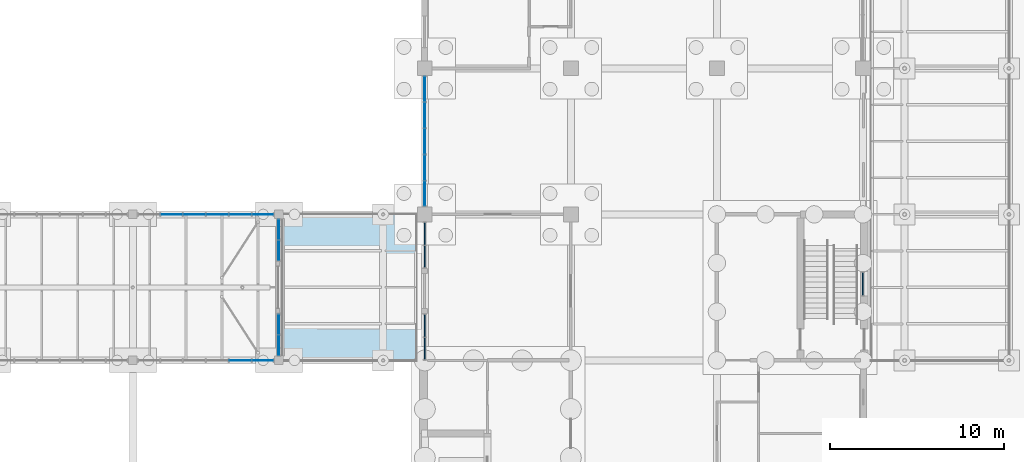
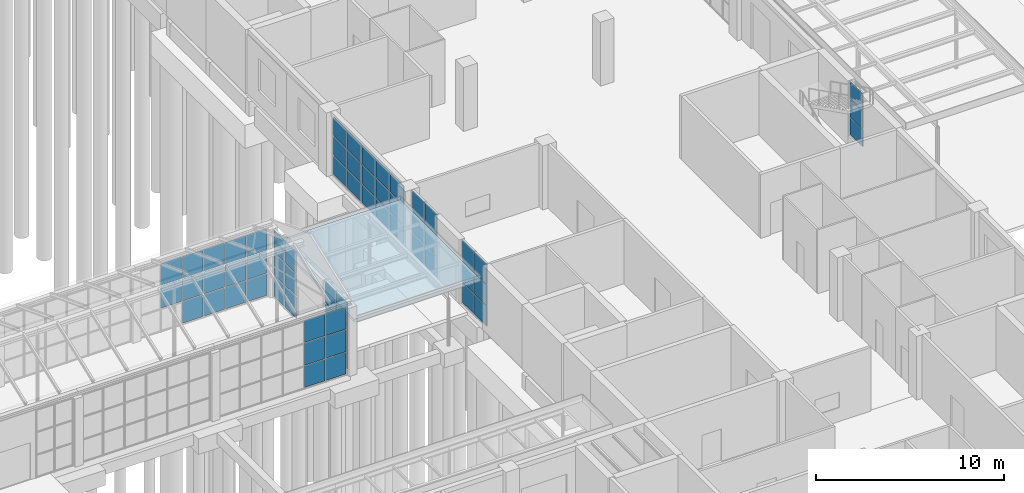
# One storey, part 90 of 138: 62 plates, 1 slab, 8 elements without a shape of their own.
"""IFC4 building model written with IfcOpenShell, lengths in metres."""

from ifc_helpers import new_model, si_unit, direction, frame, origin, origin_2d, place, context, subcontext, project, spatial, polyline, rectangle, outline, extrude, material, layer, layer_set, type_object, element, aggregate, save


model = new_model("IFC4")

# Units and contexts
model_context = context("Model", 3, precision=1e-05, world=origin(), true_north=direction((0.0, 1.0)))
body_context = subcontext(model_context, "Body", "Model", "MODEL_VIEW")
ifc_project = project(units=[si_unit("LENGTHUNIT", "METRE"), si_unit("AREAUNIT", "SQUARE_METRE"), si_unit("VOLUMEUNIT", "CUBIC_METRE"), si_unit("PLANEANGLEUNIT", "RADIAN"), si_unit("MASSUNIT", "GRAM", prefix="KILO")], contexts=[model_context])

# Site, building, storey
site_placement = place(None, origin())
site = spatial("IfcSite", under=ifc_project, at=site_placement, CompositionType="ELEMENT")
building_placement = place(site_placement, origin())
building = spatial("IfcBuilding", under=site, at=building_placement, Name="Yavir Park General Hospital", CompositionType="ELEMENT")
storey_placement = place(building_placement, origin())
storey = spatial("IfcBuildingStorey", under=building, at=storey_placement, Name="L00", CompositionType="ELEMENT", Elevation=0.0)

# Curtain wall, plates
ifc_material_1 = material(Name="Aluminium curtain wall frame with insulated glazing", Category="aluminium")
curtain_wall_type_1 = type_object("IfcCurtainWallType", Name="Emergency walk-in glazing, 4140 high, 1400 module", PredefinedType="NOTDEFINED", material=ifc_material_1)
curtain_wall_1_placement = place(storey_placement, origin())
curtain_wall_1 = element("IfcCurtainWall", 1, at=curtain_wall_1_placement, inside=storey, type_object=curtain_wall_type_1, Name="CW5 L00-069", PredefinedType="NOTDEFINED")
ifc_material_2 = material(Name="Impact-resistant glazed unit 60 mm")
ifc_layer_1 = layer(ifc_material_2, 0.06005859375)
ifc_layer_set_1 = layer_set([ifc_layer_1], Name="Impact-resistant glazed unit 60 mm")
plate_type_1 = type_object("IfcPlateType", Name="Emergency walk-in glazing, 4140 high panel 60", PredefinedType="CURTAIN_PANEL", material=ifc_layer_set_1)
plate_1_placement = place(storey_placement, frame((142.800048828125, 51.0869140625, 0.06005859375), z_axis=(0.0, 0.0, 1.0), x_axis=(0.0, 1.0, 0.0)))
plate_1 = element("IfcPlate", 2, at=plate_1_placement, type_object=plate_type_1, Name="CW5 panel 1.1", PredefinedType="CURTAIN_PANEL", context=body_context, shape_type="SweptSolid", body=[
    extrude(rectangle(XDim=1.253662109375, YDim=0.06005859375, at=origin_2d()), origin(), (0.0, 0.0, 1.0), 1.2900390625),
])
plate_2_placement = place(storey_placement, frame((142.800048828125, 51.0869140625, 1.41015625), z_axis=(0.0, 0.0, 1.0), x_axis=(0.0, 1.0, 0.0)))
plate_2 = element("IfcPlate", 3, at=plate_2_placement, type_object=plate_type_1, Name="CW5 panel 1.2", PredefinedType="CURTAIN_PANEL", context=body_context, shape_type="SweptSolid", body=[
    extrude(rectangle(XDim=1.253662109375, YDim=0.06005859375, at=origin_2d()), origin(), (0.0, 0.0, 1.0), 1.320068359375),
])
plate_3_placement = place(storey_placement, frame((142.800048828125, 51.0869140625, 2.7900390625), z_axis=(0.0, 0.0, 1.0), x_axis=(0.0, 1.0, 0.0)))
plate_3 = element("IfcPlate", 4, at=plate_3_placement, type_object=plate_type_1, Name="CW5 panel 1.3", PredefinedType="CURTAIN_PANEL", context=body_context, shape_type="SweptSolid", body=[
    extrude(rectangle(XDim=1.253662109375, YDim=0.06005859375, at=origin_2d()), origin(), (0.0, 0.0, 1.0), 1.2900390625),
])
plate_4_placement = place(storey_placement, frame((142.800048828125, 52.400634765625, 0.06005859375), z_axis=(0.0, 0.0, 1.0), x_axis=(0.0, 1.0, 0.0)))
plate_4 = element("IfcPlate", 5, at=plate_4_placement, type_object=plate_type_1, Name="CW5 panel 2.1", PredefinedType="CURTAIN_PANEL", context=body_context, shape_type="SweptSolid", body=[
    extrude(rectangle(XDim=1.253662109375, YDim=0.06005859375, at=origin_2d()), origin(), (0.0, 0.0, 1.0), 1.2900390625),
])
plate_5_placement = place(storey_placement, frame((142.800048828125, 52.400634765625, 1.41015625), z_axis=(0.0, 0.0, 1.0), x_axis=(0.0, 1.0, 0.0)))
plate_5 = element("IfcPlate", 6, at=plate_5_placement, type_object=plate_type_1, Name="CW5 panel 2.2", PredefinedType="CURTAIN_PANEL", context=body_context, shape_type="SweptSolid", body=[
    extrude(rectangle(XDim=1.253662109375, YDim=0.06005859375, at=origin_2d()), origin(), (0.0, 0.0, 1.0), 1.320068359375),
])
plate_6_placement = place(storey_placement, frame((142.800048828125, 52.400634765625, 2.7900390625), z_axis=(0.0, 0.0, 1.0), x_axis=(0.0, 1.0, 0.0)))
plate_6 = element("IfcPlate", 7, at=plate_6_placement, type_object=plate_type_1, Name="CW5 panel 2.3", PredefinedType="CURTAIN_PANEL", context=body_context, shape_type="SweptSolid", body=[
    extrude(rectangle(XDim=1.253662109375, YDim=0.06005859375, at=origin_2d()), origin(), (0.0, 0.0, 1.0), 1.2900390625),
])
aggregate(curtain_wall_1, [plate_1, plate_2, plate_3, plate_4, plate_5, plate_6])

curtain_wall_2_placement = place(storey_placement, origin())
curtain_wall_2 = element("IfcCurtainWall", 8, at=curtain_wall_2_placement, inside=storey, type_object=curtain_wall_type_1, Name="CW5 L00-070", PredefinedType="NOTDEFINED")
plate_7_placement = place(storey_placement, frame((142.800048828125, 56.374267578125, 0.06005859375), z_axis=(0.0, 0.0, 1.0), x_axis=(0.0, 1.0, 0.0)))
plate_7 = element("IfcPlate", 9, at=plate_7_placement, type_object=plate_type_1, Name="CW5 panel 1.1", PredefinedType="CURTAIN_PANEL", context=body_context, shape_type="SweptSolid", body=[
    extrude(rectangle(XDim=1.253662109375, YDim=0.06005859375, at=origin_2d()), origin(), (0.0, 0.0, 1.0), 1.2900390625),
])
plate_8_placement = place(storey_placement, frame((142.800048828125, 56.374267578125, 1.41015625), z_axis=(0.0, 0.0, 1.0), x_axis=(0.0, 1.0, 0.0)))
plate_8 = element("IfcPlate", 10, at=plate_8_placement, type_object=plate_type_1, Name="CW5 panel 1.2", PredefinedType="CURTAIN_PANEL", context=body_context, shape_type="SweptSolid", body=[
    extrude(rectangle(XDim=1.253662109375, YDim=0.06005859375, at=origin_2d()), origin(), (0.0, 0.0, 1.0), 1.320068359375),
])
plate_9_placement = place(storey_placement, frame((142.800048828125, 56.374267578125, 2.7900390625), z_axis=(0.0, 0.0, 1.0), x_axis=(0.0, 1.0, 0.0)))
plate_9 = element("IfcPlate", 11, at=plate_9_placement, type_object=plate_type_1, Name="CW5 panel 1.3", PredefinedType="CURTAIN_PANEL", context=body_context, shape_type="SweptSolid", body=[
    extrude(rectangle(XDim=1.253662109375, YDim=0.06005859375, at=origin_2d()), origin(), (0.0, 0.0, 1.0), 1.2900390625),
])
plate_10_placement = place(storey_placement, frame((142.800048828125, 57.688232421875, 0.06005859375), z_axis=(0.0, 0.0, 1.0), x_axis=(0.0, 1.0, 0.0)))
plate_10 = element("IfcPlate", 12, at=plate_10_placement, type_object=plate_type_1, Name="CW5 panel 2.1", PredefinedType="CURTAIN_PANEL", context=body_context, shape_type="SweptSolid", body=[
    extrude(rectangle(XDim=1.253662109375, YDim=0.06005859375, at=origin_2d()), origin(), (0.0, 0.0, 1.0), 1.2900390625),
])
plate_11_placement = place(storey_placement, frame((142.800048828125, 57.688232421875, 1.41015625), z_axis=(0.0, 0.0, 1.0), x_axis=(0.0, 1.0, 0.0)))
plate_11 = element("IfcPlate", 13, at=plate_11_placement, type_object=plate_type_1, Name="CW5 panel 2.2", PredefinedType="CURTAIN_PANEL", context=body_context, shape_type="SweptSolid", body=[
    extrude(rectangle(XDim=1.253662109375, YDim=0.06005859375, at=origin_2d()), origin(), (0.0, 0.0, 1.0), 1.320068359375),
])
plate_12_placement = place(storey_placement, frame((142.800048828125, 57.688232421875, 2.7900390625), z_axis=(0.0, 0.0, 1.0), x_axis=(0.0, 1.0, 0.0)))
plate_12 = element("IfcPlate", 14, at=plate_12_placement, type_object=plate_type_1, Name="CW5 panel 2.3", PredefinedType="CURTAIN_PANEL", context=body_context, shape_type="SweptSolid", body=[
    extrude(rectangle(XDim=1.253662109375, YDim=0.06005859375, at=origin_2d()), origin(), (0.0, 0.0, 1.0), 1.2900390625),
])
aggregate(curtain_wall_2, [plate_7, plate_8, plate_9, plate_10, plate_11, plate_12])

# Slab
ifc_material_3 = material(Name="Concrete C35/45", Category="concrete")
ifc_layer_2 = layer(ifc_material_3, 0.199951171875)
ifc_layer_set_2 = layer_set([ifc_layer_2], Name="Concrete C35/45")
slab_type = type_object("IfcSlabType", Name="RC SLAB ROOF 200", PredefinedType="ROOF", material=ifc_layer_set_2)
slab_placement = place(storey_placement, frame((0.0, 0.0, 3.199951171875)))
element("IfcSlab", 15, at=slab_placement, inside=storey, type_object=slab_type, Name="RF:EDW:slab", PredefinedType="ROOF", context=body_context, shape_type="SweptSolid", body=[
    extrude(outline(polyline([(142.300048828125, 50.39990234375), (142.300048828125, 58.800048828125), (134.6201171875, 58.800048828125), (134.6201171875, 50.39990234375), (142.300048828125, 50.39990234375)])), origin(), (0.0, 0.0, 1.0), 0.199951171875),
])

# Curtain wall, plates
ifc_material_4 = material(Name="Aluminium curtain wall frame with insulated glazing", Category="aluminium")
curtain_wall_type_2 = type_object("IfcCurtainWallType", Name="Reception glazing, 3840 high, 1400 module", PredefinedType="NOTDEFINED", material=ifc_material_4)
curtain_wall_3_placement = place(storey_placement, origin())
curtain_wall_3 = element("IfcCurtainWall", 16, at=curtain_wall_3_placement, inside=storey, type_object=curtain_wall_type_2, Name="CW8 L00-071", PredefinedType="NOTDEFINED")
ifc_material_5 = material(Name="Security glazed unit 50 mm")
ifc_layer_3 = layer(ifc_material_5, 0.050048828125)
ifc_layer_set_3 = layer_set([ifc_layer_3], Name="Security glazed unit 50 mm")
plate_type_2 = type_object("IfcPlateType", Name="Reception glazing, 3840 high panel 50", PredefinedType="CURTAIN_PANEL", material=ifc_layer_set_3)
plate_13_placement = place(storey_placement, frame((142.800048828125, 59.9951171875, 0.06005859375), z_axis=(0.0, 0.0, 1.0), x_axis=(0.0, 1.0, 0.0)))
plate_13 = element("IfcPlate", 17, at=plate_13_placement, type_object=plate_type_2, Name="CW8 panel 1.1", PredefinedType="CURTAIN_PANEL", context=body_context, shape_type="SweptSolid", body=[
    extrude(rectangle(XDim=1.419921875, YDim=0.050048828125, at=origin_2d()), origin(), (0.0, 0.0, 1.0), 1.18994140625),
])
plate_14_placement = place(storey_placement, frame((142.800048828125, 59.9951171875, 1.31005859375), z_axis=(0.0, 0.0, 1.0), x_axis=(0.0, 1.0, 0.0)))
plate_14 = element("IfcPlate", 18, at=plate_14_placement, type_object=plate_type_2, Name="CW8 panel 1.2", PredefinedType="CURTAIN_PANEL", context=body_context, shape_type="SweptSolid", body=[
    extrude(rectangle(XDim=1.419921875, YDim=0.050048828125, at=origin_2d()), origin(), (0.0, 0.0, 1.0), 1.219970703125),
])
plate_15_placement = place(storey_placement, frame((142.800048828125, 59.9951171875, 2.590087890625), z_axis=(0.0, 0.0, 1.0), x_axis=(0.0, 1.0, 0.0)))
plate_15 = element("IfcPlate", 19, at=plate_15_placement, type_object=plate_type_2, Name="CW8 panel 1.3", PredefinedType="CURTAIN_PANEL", context=body_context, shape_type="SweptSolid", body=[
    extrude(rectangle(XDim=1.419921875, YDim=0.050048828125, at=origin_2d()), origin(), (0.0, 0.0, 1.0), 1.18994140625),
])
plate_16_placement = place(storey_placement, frame((142.800048828125, 61.489990234375, 0.06005859375), z_axis=(0.0, 0.0, 1.0), x_axis=(0.0, 1.0, 0.0)))
plate_16 = element("IfcPlate", 20, at=plate_16_placement, type_object=plate_type_2, Name="CW8 panel 2.1", PredefinedType="CURTAIN_PANEL", context=body_context, shape_type="SweptSolid", body=[
    extrude(rectangle(XDim=1.449951171875, YDim=0.050048828125, at=origin_2d()), origin(), (0.0, 0.0, 1.0), 1.18994140625),
])
plate_17_placement = place(storey_placement, frame((142.800048828125, 61.489990234375, 1.31005859375), z_axis=(0.0, 0.0, 1.0), x_axis=(0.0, 1.0, 0.0)))
plate_17 = element("IfcPlate", 21, at=plate_17_placement, type_object=plate_type_2, Name="CW8 panel 2.2", PredefinedType="CURTAIN_PANEL", context=body_context, shape_type="SweptSolid", body=[
    extrude(rectangle(XDim=1.449951171875, YDim=0.050048828125, at=origin_2d()), origin(), (0.0, 0.0, 1.0), 1.219970703125),
])
plate_18_placement = place(storey_placement, frame((142.800048828125, 61.489990234375, 2.590087890625), z_axis=(0.0, 0.0, 1.0), x_axis=(0.0, 1.0, 0.0)))
plate_18 = element("IfcPlate", 22, at=plate_18_placement, type_object=plate_type_2, Name="CW8 panel 2.3", PredefinedType="CURTAIN_PANEL", context=body_context, shape_type="SweptSolid", body=[
    extrude(rectangle(XDim=1.449951171875, YDim=0.050048828125, at=origin_2d()), origin(), (0.0, 0.0, 1.0), 1.18994140625),
])
plate_19_placement = place(storey_placement, frame((142.800048828125, 63.0, 0.06005859375), z_axis=(0.0, 0.0, 1.0), x_axis=(0.0, 1.0, 0.0)))
plate_19 = element("IfcPlate", 23, at=plate_19_placement, type_object=plate_type_2, Name="CW8 panel 3.1", PredefinedType="CURTAIN_PANEL", context=body_context, shape_type="SweptSolid", body=[
    extrude(rectangle(XDim=1.449951171875, YDim=0.050048828125, at=origin_2d()), origin(), (0.0, 0.0, 1.0), 1.18994140625),
])
plate_20_placement = place(storey_placement, frame((142.800048828125, 63.0, 1.31005859375), z_axis=(0.0, 0.0, 1.0), x_axis=(0.0, 1.0, 0.0)))
plate_20 = element("IfcPlate", 24, at=plate_20_placement, type_object=plate_type_2, Name="CW8 panel 3.2", PredefinedType="CURTAIN_PANEL", context=body_context, shape_type="SweptSolid", body=[
    extrude(rectangle(XDim=1.449951171875, YDim=0.050048828125, at=origin_2d()), origin(), (0.0, 0.0, 1.0), 1.219970703125),
])
plate_21_placement = place(storey_placement, frame((142.800048828125, 63.0, 2.590087890625), z_axis=(0.0, 0.0, 1.0), x_axis=(0.0, 1.0, 0.0)))
plate_21 = element("IfcPlate", 25, at=plate_21_placement, type_object=plate_type_2, Name="CW8 panel 3.3", PredefinedType="CURTAIN_PANEL", context=body_context, shape_type="SweptSolid", body=[
    extrude(rectangle(XDim=1.449951171875, YDim=0.050048828125, at=origin_2d()), origin(), (0.0, 0.0, 1.0), 1.18994140625),
])
plate_22_placement = place(storey_placement, frame((142.800048828125, 64.510009765625, 0.06005859375), z_axis=(0.0, 0.0, 1.0), x_axis=(0.0, 1.0, 0.0)))
plate_22 = element("IfcPlate", 26, at=plate_22_placement, type_object=plate_type_2, Name="CW8 panel 4.1", PredefinedType="CURTAIN_PANEL", context=body_context, shape_type="SweptSolid", body=[
    extrude(rectangle(XDim=1.449951171875, YDim=0.050048828125, at=origin_2d()), origin(), (0.0, 0.0, 1.0), 1.18994140625),
])
plate_23_placement = place(storey_placement, frame((142.800048828125, 64.510009765625, 1.31005859375), z_axis=(0.0, 0.0, 1.0), x_axis=(0.0, 1.0, 0.0)))
plate_23 = element("IfcPlate", 27, at=plate_23_placement, type_object=plate_type_2, Name="CW8 panel 4.2", PredefinedType="CURTAIN_PANEL", context=body_context, shape_type="SweptSolid", body=[
    extrude(rectangle(XDim=1.449951171875, YDim=0.050048828125, at=origin_2d()), origin(), (0.0, 0.0, 1.0), 1.219970703125),
])
plate_24_placement = place(storey_placement, frame((142.800048828125, 64.510009765625, 2.590087890625), z_axis=(0.0, 0.0, 1.0), x_axis=(0.0, 1.0, 0.0)))
plate_24 = element("IfcPlate", 28, at=plate_24_placement, type_object=plate_type_2, Name="CW8 panel 4.3", PredefinedType="CURTAIN_PANEL", context=body_context, shape_type="SweptSolid", body=[
    extrude(rectangle(XDim=1.449951171875, YDim=0.050048828125, at=origin_2d()), origin(), (0.0, 0.0, 1.0), 1.18994140625),
])
plate_25_placement = place(storey_placement, frame((142.800048828125, 66.0048828125, 0.06005859375), z_axis=(0.0, 0.0, 1.0), x_axis=(0.0, 1.0, 0.0)))
plate_25 = element("IfcPlate", 29, at=plate_25_placement, type_object=plate_type_2, Name="CW8 panel 5.1", PredefinedType="CURTAIN_PANEL", context=body_context, shape_type="SweptSolid", body=[
    extrude(rectangle(XDim=1.419921875, YDim=0.050048828125, at=origin_2d()), origin(), (0.0, 0.0, 1.0), 1.18994140625),
])
plate_26_placement = place(storey_placement, frame((142.800048828125, 66.0048828125, 1.31005859375), z_axis=(0.0, 0.0, 1.0), x_axis=(0.0, 1.0, 0.0)))
plate_26 = element("IfcPlate", 30, at=plate_26_placement, type_object=plate_type_2, Name="CW8 panel 5.2", PredefinedType="CURTAIN_PANEL", context=body_context, shape_type="SweptSolid", body=[
    extrude(rectangle(XDim=1.419921875, YDim=0.050048828125, at=origin_2d()), origin(), (0.0, 0.0, 1.0), 1.219970703125),
])
plate_27_placement = place(storey_placement, frame((142.800048828125, 66.0048828125, 2.590087890625), z_axis=(0.0, 0.0, 1.0), x_axis=(0.0, 1.0, 0.0)))
plate_27 = element("IfcPlate", 31, at=plate_27_placement, type_object=plate_type_2, Name="CW8 panel 5.3", PredefinedType="CURTAIN_PANEL", context=body_context, shape_type="SweptSolid", body=[
    extrude(rectangle(XDim=1.419921875, YDim=0.050048828125, at=origin_2d()), origin(), (0.0, 0.0, 1.0), 1.18994140625),
])
aggregate(curtain_wall_3, [plate_13, plate_14, plate_15, plate_16, plate_17, plate_18, plate_19, plate_20, plate_21, plate_22, plate_23, plate_24, plate_25, plate_26, plate_27])

ifc_material_6 = material(Name="Aluminium curtain wall frame with insulated glazing", Category="aluminium")
curtain_wall_type_3 = type_object("IfcCurtainWallType", Name="Stair light slot, ground floor, 3540 high, 1400 module", PredefinedType="NOTDEFINED", material=ifc_material_6)
curtain_wall_4_placement = place(storey_placement, origin())
curtain_wall_4 = element("IfcCurtainWall", 32, at=curtain_wall_4_placement, inside=storey, type_object=curtain_wall_type_3, Name="CW19 L00-074", PredefinedType="NOTDEFINED")
ifc_material_7 = material(Name="Impact-resistant glazed unit 60 mm")
ifc_layer_4 = layer(ifc_material_7, 0.06005859375)
ifc_layer_set_4 = layer_set([ifc_layer_4], Name="Impact-resistant glazed unit 60 mm")
plate_type_3 = type_object("IfcPlateType", Name="Stair light slot, ground floor, 3540 high panel 60", PredefinedType="CURTAIN_PANEL", material=ifc_layer_set_4)
plate_28_placement = place(storey_placement, frame((168.0, 54.800048828125, 0.64990234375), z_axis=(0.0, 0.0, 1.0), x_axis=(0.0, 1.0, 0.0)))
plate_28 = element("IfcPlate", 33, at=plate_28_placement, type_object=plate_type_3, Name="CW19 panel 1.1", PredefinedType="CURTAIN_PANEL", context=body_context, shape_type="SweptSolid", body=[
    extrude(rectangle(XDim=1.300048828125, YDim=0.06005859375, at=origin_2d()), origin(), (0.0, 0.0, 1.0), 1.10498046875),
])
plate_29_placement = place(storey_placement, frame((168.0, 54.800048828125, 1.80517578125), z_axis=(0.0, 0.0, 1.0), x_axis=(0.0, 1.0, 0.0)))
plate_29 = element("IfcPlate", 34, at=plate_29_placement, type_object=plate_type_3, Name="CW19 panel 1.2", PredefinedType="CURTAIN_PANEL", context=body_context, shape_type="SweptSolid", body=[
    extrude(rectangle(XDim=1.300048828125, YDim=0.06005859375, at=origin_2d()), origin(), (0.0, 0.0, 1.0), 1.1298828125),
])
plate_30_placement = place(storey_placement, frame((168.0, 54.800048828125, 2.985107421875), z_axis=(0.0, 0.0, 1.0), x_axis=(0.0, 1.0, 0.0)))
plate_30 = element("IfcPlate", 35, at=plate_30_placement, type_object=plate_type_3, Name="CW19 panel 1.3", PredefinedType="CURTAIN_PANEL", context=body_context, shape_type="SweptSolid", body=[
    extrude(rectangle(XDim=1.300048828125, YDim=0.06005859375, at=origin_2d()), origin(), (0.0, 0.0, 1.0), 1.10498046875),
])
aggregate(curtain_wall_4, [plate_28, plate_29, plate_30])

ifc_material_8 = material(Name="Aluminium curtain wall frame with insulated glazing", Category="aluminium")
curtain_wall_type_4 = type_object("IfcCurtainWallType", Name="Winter-garden concourse glazing, 4425 high, 1400 module", PredefinedType="NOTDEFINED", material=ifc_material_8)
curtain_wall_5_placement = place(storey_placement, origin())
curtain_wall_5 = element("IfcCurtainWall", 36, at=curtain_wall_5_placement, inside=storey, type_object=curtain_wall_type_4, Name="CW37 L00-016", PredefinedType="NOTDEFINED")
ifc_material_9 = material(Name="Solar-control insulated glazed unit 40 mm")
ifc_layer_5 = layer(ifc_material_9, 0.0400390625)
ifc_layer_set_5 = layer_set([ifc_layer_5], Name="Solar-control insulated glazed unit 40 mm")
plate_type_4 = type_object("IfcPlateType", Name="Winter-garden concourse glazing, 4425 high panel 40", PredefinedType="CURTAIN_PANEL", material=ifc_layer_set_5)
plate_31_placement = place(storey_placement, frame((132.175048828125, 50.39990234375, 0.06005859375), z_axis=(0.0, 0.0, 1.0), x_axis=(1.0, 0.0, 0.0)))
plate_31 = element("IfcPlate", 37, at=plate_31_placement, type_object=plate_type_4, Name="CW37 panel 5.1", PredefinedType="CURTAIN_PANEL", context=body_context, shape_type="SweptSolid", body=[
    extrude(rectangle(XDim=1.256591796875, YDim=0.0400390625, at=origin_2d()), origin(), (0.0, 0.0, 1.0), 1.385009765625),
])
plate_32_placement = place(storey_placement, frame((132.175048828125, 50.39990234375, 1.5048828125), z_axis=(0.0, 0.0, 1.0), x_axis=(1.0, 0.0, 0.0)))
plate_32 = element("IfcPlate", 38, at=plate_32_placement, type_object=plate_type_4, Name="CW37 panel 5.2", PredefinedType="CURTAIN_PANEL", context=body_context, shape_type="SweptSolid", body=[
    extrude(rectangle(XDim=1.256591796875, YDim=0.0400390625, at=origin_2d()), origin(), (0.0, 0.0, 1.0), 1.4150390625),
])
plate_33_placement = place(storey_placement, frame((132.175048828125, 50.39990234375, 2.97998046875), z_axis=(0.0, 0.0, 1.0), x_axis=(1.0, 0.0, 0.0)))
plate_33 = element("IfcPlate", 39, at=plate_33_placement, type_object=plate_type_4, Name="CW37 panel 5.3", PredefinedType="CURTAIN_PANEL", context=body_context, shape_type="SweptSolid", body=[
    extrude(rectangle(XDim=1.256591796875, YDim=0.0400390625, at=origin_2d()), origin(), (0.0, 0.0, 1.0), 1.385009765625),
])
plate_34_placement = place(storey_placement, frame((133.4765625, 50.39990234375, 0.06005859375), z_axis=(0.0, 0.0, 1.0), x_axis=(1.0, 0.0, 0.0)))
plate_34 = element("IfcPlate", 40, at=plate_34_placement, type_object=plate_type_4, Name="CW37 panel 6.1", PredefinedType="CURTAIN_PANEL", context=body_context, shape_type="SweptSolid", body=[
    extrude(rectangle(XDim=1.2265625, YDim=0.0400390625, at=origin_2d()), origin(), (0.0, 0.0, 1.0), 1.385009765625),
])
plate_35_placement = place(storey_placement, frame((133.4765625, 50.39990234375, 1.5048828125), z_axis=(0.0, 0.0, 1.0), x_axis=(1.0, 0.0, 0.0)))
plate_35 = element("IfcPlate", 41, at=plate_35_placement, type_object=plate_type_4, Name="CW37 panel 6.2", PredefinedType="CURTAIN_PANEL", context=body_context, shape_type="SweptSolid", body=[
    extrude(rectangle(XDim=1.2265625, YDim=0.0400390625, at=origin_2d()), origin(), (0.0, 0.0, 1.0), 1.4150390625),
])
plate_36_placement = place(storey_placement, frame((133.4765625, 50.39990234375, 2.97998046875), z_axis=(0.0, 0.0, 1.0), x_axis=(1.0, 0.0, 0.0)))
plate_36 = element("IfcPlate", 42, at=plate_36_placement, type_object=plate_type_4, Name="CW37 panel 6.3", PredefinedType="CURTAIN_PANEL", context=body_context, shape_type="SweptSolid", body=[
    extrude(rectangle(XDim=1.2265625, YDim=0.0400390625, at=origin_2d()), origin(), (0.0, 0.0, 1.0), 1.385009765625),
])
aggregate(curtain_wall_5, [plate_31, plate_32, plate_33, plate_34, plate_35, plate_36])

curtain_wall_6_placement = place(storey_placement, origin())
curtain_wall_6 = element("IfcCurtainWall", 43, at=curtain_wall_6_placement, inside=storey, type_object=curtain_wall_type_4, Name="CW37 L00-021", PredefinedType="NOTDEFINED")
plate_37_placement = place(storey_placement, frame((128.22509765625, 58.800048828125, 1.5048828125), z_axis=(0.0, 0.0, 1.0), x_axis=(1.0, 0.0, 0.0)))
plate_37 = element("IfcPlate", 44, at=plate_37_placement, type_object=plate_type_4, Name="CW37 panel 2.2", PredefinedType="CURTAIN_PANEL", context=body_context, shape_type="SweptSolid", body=[
    extrude(rectangle(XDim=1.256591796875, YDim=0.0400390625, at=origin_2d()), origin(), (0.0, 0.0, 1.0), 1.4150390625),
])
plate_38_placement = place(storey_placement, frame((128.22509765625, 58.800048828125, 2.97998046875), z_axis=(0.0, 0.0, 1.0), x_axis=(1.0, 0.0, 0.0)))
plate_38 = element("IfcPlate", 45, at=plate_38_placement, type_object=plate_type_4, Name="CW37 panel 2.3", PredefinedType="CURTAIN_PANEL", context=body_context, shape_type="SweptSolid", body=[
    extrude(rectangle(XDim=1.256591796875, YDim=0.0400390625, at=origin_2d()), origin(), (0.0, 0.0, 1.0), 1.385009765625),
])
plate_39_placement = place(storey_placement, frame((129.541748046875, 58.800048828125, 0.06005859375), z_axis=(0.0, 0.0, 1.0), x_axis=(1.0, 0.0, 0.0)))
plate_39 = element("IfcPlate", 46, at=plate_39_placement, type_object=plate_type_4, Name="CW37 panel 3.1", PredefinedType="CURTAIN_PANEL", context=body_context, shape_type="SweptSolid", body=[
    extrude(rectangle(XDim=1.256591796875, YDim=0.0400390625, at=origin_2d()), origin(), (0.0, 0.0, 1.0), 1.385009765625),
])
plate_40_placement = place(storey_placement, frame((129.541748046875, 58.800048828125, 1.5048828125), z_axis=(0.0, 0.0, 1.0), x_axis=(1.0, 0.0, 0.0)))
plate_40 = element("IfcPlate", 47, at=plate_40_placement, type_object=plate_type_4, Name="CW37 panel 3.2", PredefinedType="CURTAIN_PANEL", context=body_context, shape_type="SweptSolid", body=[
    extrude(rectangle(XDim=1.256591796875, YDim=0.0400390625, at=origin_2d()), origin(), (0.0, 0.0, 1.0), 1.4150390625),
])
plate_41_placement = place(storey_placement, frame((129.541748046875, 58.800048828125, 2.97998046875), z_axis=(0.0, 0.0, 1.0), x_axis=(1.0, 0.0, 0.0)))
plate_41 = element("IfcPlate", 48, at=plate_41_placement, type_object=plate_type_4, Name="CW37 panel 3.3", PredefinedType="CURTAIN_PANEL", context=body_context, shape_type="SweptSolid", body=[
    extrude(rectangle(XDim=1.256591796875, YDim=0.0400390625, at=origin_2d()), origin(), (0.0, 0.0, 1.0), 1.385009765625),
])
plate_42_placement = place(storey_placement, frame((130.8583984375, 58.800048828125, 0.06005859375), z_axis=(0.0, 0.0, 1.0), x_axis=(1.0, 0.0, 0.0)))
plate_42 = element("IfcPlate", 49, at=plate_42_placement, type_object=plate_type_4, Name="CW37 panel 4.1", PredefinedType="CURTAIN_PANEL", context=body_context, shape_type="SweptSolid", body=[
    extrude(rectangle(XDim=1.256591796875, YDim=0.0400390625, at=origin_2d()), origin(), (0.0, 0.0, 1.0), 1.385009765625),
])
plate_43_placement = place(storey_placement, frame((130.8583984375, 58.800048828125, 1.5048828125), z_axis=(0.0, 0.0, 1.0), x_axis=(1.0, 0.0, 0.0)))
plate_43 = element("IfcPlate", 50, at=plate_43_placement, type_object=plate_type_4, Name="CW37 panel 4.2", PredefinedType="CURTAIN_PANEL", context=body_context, shape_type="SweptSolid", body=[
    extrude(rectangle(XDim=1.256591796875, YDim=0.0400390625, at=origin_2d()), origin(), (0.0, 0.0, 1.0), 1.4150390625),
])
plate_44_placement = place(storey_placement, frame((130.8583984375, 58.800048828125, 2.97998046875), z_axis=(0.0, 0.0, 1.0), x_axis=(1.0, 0.0, 0.0)))
plate_44 = element("IfcPlate", 51, at=plate_44_placement, type_object=plate_type_4, Name="CW37 panel 4.3", PredefinedType="CURTAIN_PANEL", context=body_context, shape_type="SweptSolid", body=[
    extrude(rectangle(XDim=1.256591796875, YDim=0.0400390625, at=origin_2d()), origin(), (0.0, 0.0, 1.0), 1.385009765625),
])
plate_45_placement = place(storey_placement, frame((132.175048828125, 58.800048828125, 0.06005859375), z_axis=(0.0, 0.0, 1.0), x_axis=(1.0, 0.0, 0.0)))
plate_45 = element("IfcPlate", 52, at=plate_45_placement, type_object=plate_type_4, Name="CW37 panel 5.1", PredefinedType="CURTAIN_PANEL", context=body_context, shape_type="SweptSolid", body=[
    extrude(rectangle(XDim=1.256591796875, YDim=0.0400390625, at=origin_2d()), origin(), (0.0, 0.0, 1.0), 1.385009765625),
])
plate_46_placement = place(storey_placement, frame((132.175048828125, 58.800048828125, 1.5048828125), z_axis=(0.0, 0.0, 1.0), x_axis=(1.0, 0.0, 0.0)))
plate_46 = element("IfcPlate", 53, at=plate_46_placement, type_object=plate_type_4, Name="CW37 panel 5.2", PredefinedType="CURTAIN_PANEL", context=body_context, shape_type="SweptSolid", body=[
    extrude(rectangle(XDim=1.256591796875, YDim=0.0400390625, at=origin_2d()), origin(), (0.0, 0.0, 1.0), 1.4150390625),
])
plate_47_placement = place(storey_placement, frame((132.175048828125, 58.800048828125, 2.97998046875), z_axis=(0.0, 0.0, 1.0), x_axis=(1.0, 0.0, 0.0)))
plate_47 = element("IfcPlate", 54, at=plate_47_placement, type_object=plate_type_4, Name="CW37 panel 5.3", PredefinedType="CURTAIN_PANEL", context=body_context, shape_type="SweptSolid", body=[
    extrude(rectangle(XDim=1.256591796875, YDim=0.0400390625, at=origin_2d()), origin(), (0.0, 0.0, 1.0), 1.385009765625),
])
plate_48_placement = place(storey_placement, frame((133.4765625, 58.800048828125, 0.06005859375), z_axis=(0.0, 0.0, 1.0), x_axis=(1.0, 0.0, 0.0)))
plate_48 = element("IfcPlate", 55, at=plate_48_placement, type_object=plate_type_4, Name="CW37 panel 6.1", PredefinedType="CURTAIN_PANEL", context=body_context, shape_type="SweptSolid", body=[
    extrude(rectangle(XDim=1.2265625, YDim=0.0400390625, at=origin_2d()), origin(), (0.0, 0.0, 1.0), 1.385009765625),
])
plate_49_placement = place(storey_placement, frame((133.4765625, 58.800048828125, 1.5048828125), z_axis=(0.0, 0.0, 1.0), x_axis=(1.0, 0.0, 0.0)))
plate_49 = element("IfcPlate", 56, at=plate_49_placement, type_object=plate_type_4, Name="CW37 panel 6.2", PredefinedType="CURTAIN_PANEL", context=body_context, shape_type="SweptSolid", body=[
    extrude(rectangle(XDim=1.2265625, YDim=0.0400390625, at=origin_2d()), origin(), (0.0, 0.0, 1.0), 1.4150390625),
])
plate_50_placement = place(storey_placement, frame((133.4765625, 58.800048828125, 2.97998046875), z_axis=(0.0, 0.0, 1.0), x_axis=(1.0, 0.0, 0.0)))
plate_50 = element("IfcPlate", 57, at=plate_50_placement, type_object=plate_type_4, Name="CW37 panel 6.3", PredefinedType="CURTAIN_PANEL", context=body_context, shape_type="SweptSolid", body=[
    extrude(rectangle(XDim=1.2265625, YDim=0.0400390625, at=origin_2d()), origin(), (0.0, 0.0, 1.0), 1.385009765625),
])
aggregate(curtain_wall_6, [plate_37, plate_38, plate_39, plate_40, plate_41, plate_42, plate_43, plate_44, plate_45, plate_46, plate_47, plate_48, plate_49, plate_50])

curtain_wall_7_placement = place(storey_placement, origin())
curtain_wall_7 = element("IfcCurtainWall", 58, at=curtain_wall_7_placement, inside=storey, type_object=curtain_wall_type_4, Name="CW37 L00-067", PredefinedType="NOTDEFINED")
plate_51_placement = place(storey_placement, frame((134.39990234375, 51.277587890625, 0.06005859375), z_axis=(0.0, 0.0, 1.0), x_axis=(0.0, 1.0, 0.0)))
plate_51 = element("IfcPlate", 59, at=plate_51_placement, type_object=plate_type_4, Name="CW37 panel 1.1", PredefinedType="CURTAIN_PANEL", context=body_context, shape_type="SweptSolid", body=[
    extrude(rectangle(XDim=1.135009765625, YDim=0.0400390625, at=origin_2d()), origin(), (0.0, 0.0, 1.0), 1.385009765625),
])
plate_52_placement = place(storey_placement, frame((134.39990234375, 51.277587890625, 1.5048828125), z_axis=(0.0, 0.0, 1.0), x_axis=(0.0, 1.0, 0.0)))
plate_52 = element("IfcPlate", 60, at=plate_52_placement, type_object=plate_type_4, Name="CW37 panel 1.2", PredefinedType="CURTAIN_PANEL", context=body_context, shape_type="SweptSolid", body=[
    extrude(rectangle(XDim=1.135009765625, YDim=0.0400390625, at=origin_2d()), origin(), (0.0, 0.0, 1.0), 1.4150390625),
])
plate_53_placement = place(storey_placement, frame((134.39990234375, 51.277587890625, 2.97998046875), z_axis=(0.0, 0.0, 1.0), x_axis=(0.0, 1.0, 0.0)))
plate_53 = element("IfcPlate", 61, at=plate_53_placement, type_object=plate_type_4, Name="CW37 panel 1.3", PredefinedType="CURTAIN_PANEL", context=body_context, shape_type="SweptSolid", body=[
    extrude(rectangle(XDim=1.135009765625, YDim=0.0400390625, at=origin_2d()), origin(), (0.0, 0.0, 1.0), 1.385009765625),
])
plate_54_placement = place(storey_placement, frame((134.39990234375, 52.472412109375, 0.06005859375), z_axis=(0.0, 0.0, 1.0), x_axis=(0.0, 1.0, 0.0)))
plate_54 = element("IfcPlate", 62, at=plate_54_placement, type_object=plate_type_4, Name="CW37 panel 2.1", PredefinedType="CURTAIN_PANEL", context=body_context, shape_type="SweptSolid", body=[
    extrude(rectangle(XDim=1.135009765625, YDim=0.0400390625, at=origin_2d()), origin(), (0.0, 0.0, 1.0), 1.385009765625),
])
plate_55_placement = place(storey_placement, frame((134.39990234375, 52.472412109375, 1.5048828125), z_axis=(0.0, 0.0, 1.0), x_axis=(0.0, 1.0, 0.0)))
plate_55 = element("IfcPlate", 63, at=plate_55_placement, type_object=plate_type_4, Name="CW37 panel 2.2", PredefinedType="CURTAIN_PANEL", context=body_context, shape_type="SweptSolid", body=[
    extrude(rectangle(XDim=1.135009765625, YDim=0.0400390625, at=origin_2d()), origin(), (0.0, 0.0, 1.0), 1.4150390625),
])
plate_56_placement = place(storey_placement, frame((134.39990234375, 52.472412109375, 2.97998046875), z_axis=(0.0, 0.0, 1.0), x_axis=(0.0, 1.0, 0.0)))
plate_56 = element("IfcPlate", 64, at=plate_56_placement, type_object=plate_type_4, Name="CW37 panel 2.3", PredefinedType="CURTAIN_PANEL", context=body_context, shape_type="SweptSolid", body=[
    extrude(rectangle(XDim=1.135009765625, YDim=0.0400390625, at=origin_2d()), origin(), (0.0, 0.0, 1.0), 1.385009765625),
])
aggregate(curtain_wall_7, [plate_51, plate_52, plate_53, plate_54, plate_55, plate_56])

curtain_wall_8_placement = place(storey_placement, origin())
curtain_wall_8 = element("IfcCurtainWall", 65, at=curtain_wall_8_placement, inside=storey, type_object=curtain_wall_type_4, Name="CW37 L00-068", PredefinedType="NOTDEFINED")
plate_57_placement = place(storey_placement, frame((134.39990234375, 56.7275390625, 0.06005859375), z_axis=(0.0, 0.0, 1.0), x_axis=(0.0, 1.0, 0.0)))
plate_57 = element("IfcPlate", 66, at=plate_57_placement, type_object=plate_type_4, Name="CW37 panel 1.1", PredefinedType="CURTAIN_PANEL", context=body_context, shape_type="SweptSolid", body=[
    extrude(rectangle(XDim=1.135009765625, YDim=0.0400390625, at=origin_2d()), origin(), (0.0, 0.0, 1.0), 1.385009765625),
])
plate_58_placement = place(storey_placement, frame((134.39990234375, 56.7275390625, 1.5048828125), z_axis=(0.0, 0.0, 1.0), x_axis=(0.0, 1.0, 0.0)))
plate_58 = element("IfcPlate", 67, at=plate_58_placement, type_object=plate_type_4, Name="CW37 panel 1.2", PredefinedType="CURTAIN_PANEL", context=body_context, shape_type="SweptSolid", body=[
    extrude(rectangle(XDim=1.135009765625, YDim=0.0400390625, at=origin_2d()), origin(), (0.0, 0.0, 1.0), 1.4150390625),
])
plate_59_placement = place(storey_placement, frame((134.39990234375, 56.7275390625, 2.97998046875), z_axis=(0.0, 0.0, 1.0), x_axis=(0.0, 1.0, 0.0)))
plate_59 = element("IfcPlate", 68, at=plate_59_placement, type_object=plate_type_4, Name="CW37 panel 1.3", PredefinedType="CURTAIN_PANEL", context=body_context, shape_type="SweptSolid", body=[
    extrude(rectangle(XDim=1.135009765625, YDim=0.0400390625, at=origin_2d()), origin(), (0.0, 0.0, 1.0), 1.385009765625),
])
plate_60_placement = place(storey_placement, frame((134.39990234375, 57.922607421875, 0.06005859375), z_axis=(0.0, 0.0, 1.0), x_axis=(0.0, 1.0, 0.0)))
plate_60 = element("IfcPlate", 69, at=plate_60_placement, type_object=plate_type_4, Name="CW37 panel 2.1", PredefinedType="CURTAIN_PANEL", context=body_context, shape_type="SweptSolid", body=[
    extrude(rectangle(XDim=1.135009765625, YDim=0.0400390625, at=origin_2d()), origin(), (0.0, 0.0, 1.0), 1.385009765625),
])
plate_61_placement = place(storey_placement, frame((134.39990234375, 57.922607421875, 1.5048828125), z_axis=(0.0, 0.0, 1.0), x_axis=(0.0, 1.0, 0.0)))
plate_61 = element("IfcPlate", 70, at=plate_61_placement, type_object=plate_type_4, Name="CW37 panel 2.2", PredefinedType="CURTAIN_PANEL", context=body_context, shape_type="SweptSolid", body=[
    extrude(rectangle(XDim=1.135009765625, YDim=0.0400390625, at=origin_2d()), origin(), (0.0, 0.0, 1.0), 1.4150390625),
])
plate_62_placement = place(storey_placement, frame((134.39990234375, 57.922607421875, 2.97998046875), z_axis=(0.0, 0.0, 1.0), x_axis=(0.0, 1.0, 0.0)))
plate_62 = element("IfcPlate", 71, at=plate_62_placement, type_object=plate_type_4, Name="CW37 panel 2.3", PredefinedType="CURTAIN_PANEL", context=body_context, shape_type="SweptSolid", body=[
    extrude(rectangle(XDim=1.135009765625, YDim=0.0400390625, at=origin_2d()), origin(), (0.0, 0.0, 1.0), 1.385009765625),
])
aggregate(curtain_wall_8, [plate_57, plate_58, plate_59, plate_60, plate_61, plate_62])

save(model, "model.ifc")
